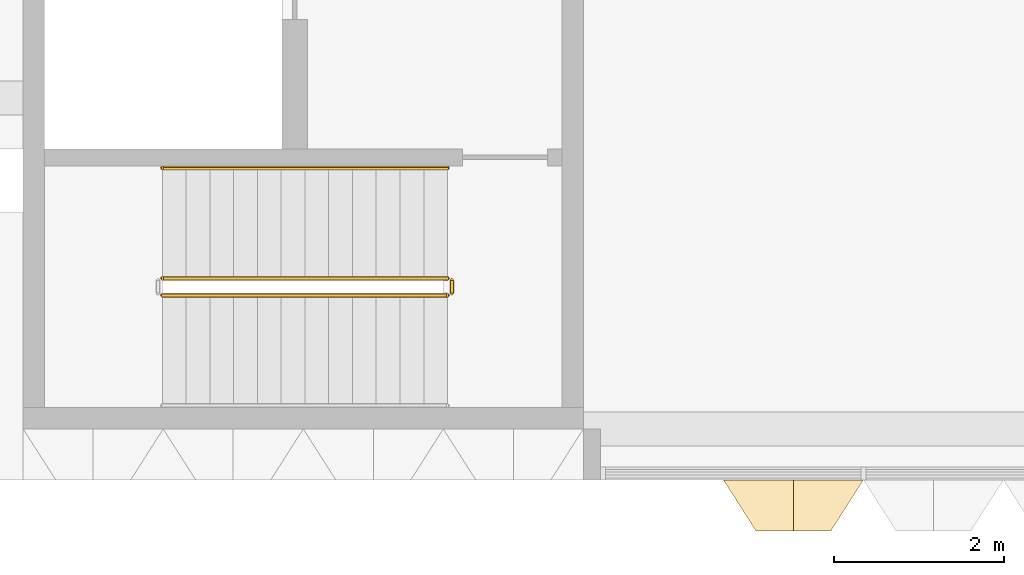
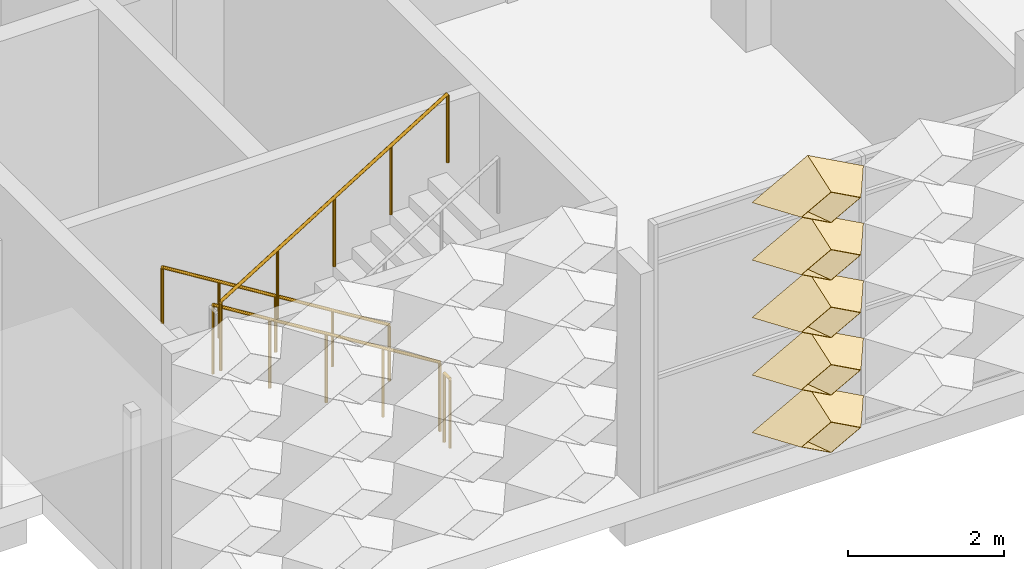
# One storey, part 69 of 109: 5 coverings, 4 railings.
"""IFC4 building model written with IfcOpenShell, lengths in metres."""

from ifc_helpers import new_model, entity, si_unit, direction, frame, origin, origin_2d, place, context, subcontext, project, spatial, circle, extrude, material, layer, layer_set, type_object, element, save


model = new_model("IFC4")

# Units and contexts
model_context = context("Model", 3, precision=1e-05, world=origin(), true_north=direction((0.0, 1.0)))
body_context = subcontext(model_context, "Body", "Model", "MODEL_VIEW")
ifc_project = project(units=[si_unit("LENGTHUNIT", "METRE"), si_unit("AREAUNIT", "SQUARE_METRE"), si_unit("VOLUMEUNIT", "CUBIC_METRE"), si_unit("PLANEANGLEUNIT", "RADIAN"), si_unit("MASSUNIT", "GRAM", prefix="KILO")], contexts=[model_context])

# Site, building, storey
site_placement = place(None, origin())
site = spatial("IfcSite", under=ifc_project, at=site_placement, CompositionType="ELEMENT")
building_placement = place(site_placement, origin())
building = spatial("IfcBuilding", under=site, at=building_placement, Name="Lantern Court Research Institute", CompositionType="ELEMENT")
storey_placement = place(building_placement, frame((0.0, 0.0, 14.39990234375)))
storey = spatial("IfcBuildingStorey", under=building, at=storey_placement, Name="L03", CompositionType="ELEMENT", Elevation=14.39990234375)

# Coverings
ifc_material_1 = material(Name="Anodised aluminium", Category="aluminium")
ifc_layer = layer(ifc_material_1, 0.01611328125)
ifc_layer_set = layer_set([ifc_layer], Name="Anodised aluminium")
covering_type = type_object("IfcCoveringType", Name="Fin cassette 1650 x 900 x 600 aluminium", PredefinedType="CLADDING", material=ifc_layer_set)
covering_1_placement = place(storey_placement, frame((61.875, -8.39990234375, 0.4501953125), z_axis=(0.0, -1.0, 0.0), x_axis=(1.0, 0.0, 0.0)))
cartesian_point_1 = entity("IfcCartesianPoint", [0.824951171875, 0.0])
cartesian_point_2 = entity("IfcCartesianPoint", [0.79150390625, 0.0])
cartesian_point_3 = entity("IfcCartesianPoint", [0.44189453125, 0.0])
cartesian_point_4 = entity("IfcCartesianPoint", [0.43359375, 0.0])
element("IfcCovering", 1, at=covering_1_placement, inside=storey, type_object=covering_type, Name="Fin cassette V5S-L03 1.38", PredefinedType="CLADDING", context=body_context, shape_type="SweptSolid", body=[
    entity("IfcExtrudedAreaSolidTapered", entity("IfcArbitraryProfileDefWithVoids", "AREA", None, entity("IfcPolyline", [cartesian_point_1, entity("IfcCartesianPoint", [0.0, 0.449951171875]), entity("IfcCartesianPoint", [-0.824951171875, 0.0]), entity("IfcCartesianPoint", [0.0, -0.449951171875]), cartesian_point_1]), [entity("IfcPolyline", [cartesian_point_2, entity("IfcCartesianPoint", [0.0, 0.431884765625]), entity("IfcCartesianPoint", [-0.79150390625, 0.0]), entity("IfcCartesianPoint", [0.0, -0.431884765625]), cartesian_point_2])]), entity("IfcAxis2Placement3D", entity("IfcCartesianPoint", [0.0, 0.0, 0.0])), entity("IfcDirection", [0.0, 0.0, 1.0]), 0.60009765625, entity("IfcArbitraryProfileDefWithVoids", "AREA", None, entity("IfcPolyline", [cartesian_point_3, entity("IfcCartesianPoint", [0.0, 0.240966796875]), entity("IfcCartesianPoint", [-0.44189453125, 0.0]), entity("IfcCartesianPoint", [0.0, -0.240966796875]), cartesian_point_3]), [entity("IfcPolyline", [cartesian_point_4, entity("IfcCartesianPoint", [0.0, 0.236572265625]), entity("IfcCartesianPoint", [-0.43359375, 0.0]), entity("IfcCartesianPoint", [0.0, -0.236572265625]), cartesian_point_4])])),
])
covering_2_placement = place(storey_placement, frame((61.875, -8.39990234375, 1.35009765625), z_axis=(0.0, -1.0, 0.0), x_axis=(1.0, 0.0, 0.0)))
cartesian_point_5 = entity("IfcCartesianPoint", [0.824951171875, 0.0])
cartesian_point_6 = entity("IfcCartesianPoint", [0.79150390625, 0.0])
cartesian_point_7 = entity("IfcCartesianPoint", [0.44189453125, 0.0])
cartesian_point_8 = entity("IfcCartesianPoint", [0.43359375, 0.0])
element("IfcCovering", 2, at=covering_2_placement, inside=storey, type_object=covering_type, Name="Fin cassette V5S-L03 2.38", PredefinedType="CLADDING", context=body_context, shape_type="SweptSolid", body=[
    entity("IfcExtrudedAreaSolidTapered", entity("IfcArbitraryProfileDefWithVoids", "AREA", None, entity("IfcPolyline", [cartesian_point_5, entity("IfcCartesianPoint", [0.0, 0.449951171875]), entity("IfcCartesianPoint", [-0.824951171875, 0.0]), entity("IfcCartesianPoint", [0.0, -0.449951171875]), cartesian_point_5]), [entity("IfcPolyline", [cartesian_point_6, entity("IfcCartesianPoint", [0.0, 0.431884765625]), entity("IfcCartesianPoint", [-0.79150390625, 0.0]), entity("IfcCartesianPoint", [0.0, -0.431884765625]), cartesian_point_6])]), entity("IfcAxis2Placement3D", entity("IfcCartesianPoint", [0.0, 0.0, 0.0])), entity("IfcDirection", [0.0, 0.0, 1.0]), 0.60009765625, entity("IfcArbitraryProfileDefWithVoids", "AREA", None, entity("IfcPolyline", [cartesian_point_7, entity("IfcCartesianPoint", [0.0, 0.240966796875]), entity("IfcCartesianPoint", [-0.44189453125, 0.0]), entity("IfcCartesianPoint", [0.0, -0.240966796875]), cartesian_point_7]), [entity("IfcPolyline", [cartesian_point_8, entity("IfcCartesianPoint", [0.0, 0.236572265625]), entity("IfcCartesianPoint", [-0.43359375, 0.0]), entity("IfcCartesianPoint", [0.0, -0.236572265625]), cartesian_point_8])])),
])
covering_3_placement = place(storey_placement, frame((61.875, -8.39990234375, 2.25), z_axis=(0.0, -1.0, 0.0), x_axis=(1.0, 0.0, 0.0)))
cartesian_point_9 = entity("IfcCartesianPoint", [0.824951171875, 0.0])
cartesian_point_10 = entity("IfcCartesianPoint", [0.79150390625, 0.0])
cartesian_point_11 = entity("IfcCartesianPoint", [0.44189453125, 0.0])
cartesian_point_12 = entity("IfcCartesianPoint", [0.43359375, 0.0])
element("IfcCovering", 3, at=covering_3_placement, inside=storey, type_object=covering_type, Name="Fin cassette V5S-L03 3.38", PredefinedType="CLADDING", context=body_context, shape_type="SweptSolid", body=[
    entity("IfcExtrudedAreaSolidTapered", entity("IfcArbitraryProfileDefWithVoids", "AREA", None, entity("IfcPolyline", [cartesian_point_9, entity("IfcCartesianPoint", [0.0, 0.449951171875]), entity("IfcCartesianPoint", [-0.824951171875, 0.0]), entity("IfcCartesianPoint", [0.0, -0.449951171875]), cartesian_point_9]), [entity("IfcPolyline", [cartesian_point_10, entity("IfcCartesianPoint", [0.0, 0.431884765625]), entity("IfcCartesianPoint", [-0.79150390625, 0.0]), entity("IfcCartesianPoint", [0.0, -0.431884765625]), cartesian_point_10])]), entity("IfcAxis2Placement3D", entity("IfcCartesianPoint", [0.0, 0.0, 0.0])), entity("IfcDirection", [0.0, 0.0, 1.0]), 0.60009765625, entity("IfcArbitraryProfileDefWithVoids", "AREA", None, entity("IfcPolyline", [cartesian_point_11, entity("IfcCartesianPoint", [0.0, 0.240966796875]), entity("IfcCartesianPoint", [-0.44189453125, 0.0]), entity("IfcCartesianPoint", [0.0, -0.240966796875]), cartesian_point_11]), [entity("IfcPolyline", [cartesian_point_12, entity("IfcCartesianPoint", [0.0, 0.236572265625]), entity("IfcCartesianPoint", [-0.43359375, 0.0]), entity("IfcCartesianPoint", [0.0, -0.236572265625]), cartesian_point_12])])),
])
covering_4_placement = place(storey_placement, frame((61.875, -8.39990234375, 3.150146484375), z_axis=(0.0, -1.0, 0.0), x_axis=(1.0, 0.0, 0.0)))
cartesian_point_13 = entity("IfcCartesianPoint", [0.824951171875, 0.0])
cartesian_point_14 = entity("IfcCartesianPoint", [0.79150390625, 0.0])
cartesian_point_15 = entity("IfcCartesianPoint", [0.44189453125, 0.0])
cartesian_point_16 = entity("IfcCartesianPoint", [0.43359375, 0.0])
element("IfcCovering", 4, at=covering_4_placement, inside=storey, type_object=covering_type, Name="Fin cassette V5S-L03 4.38", PredefinedType="CLADDING", context=body_context, shape_type="SweptSolid", body=[
    entity("IfcExtrudedAreaSolidTapered", entity("IfcArbitraryProfileDefWithVoids", "AREA", None, entity("IfcPolyline", [cartesian_point_13, entity("IfcCartesianPoint", [0.0, 0.449951171875]), entity("IfcCartesianPoint", [-0.824951171875, 0.0]), entity("IfcCartesianPoint", [0.0, -0.449951171875]), cartesian_point_13]), [entity("IfcPolyline", [cartesian_point_14, entity("IfcCartesianPoint", [0.0, 0.431884765625]), entity("IfcCartesianPoint", [-0.79150390625, 0.0]), entity("IfcCartesianPoint", [0.0, -0.431884765625]), cartesian_point_14])]), entity("IfcAxis2Placement3D", entity("IfcCartesianPoint", [0.0, 0.0, 0.0])), entity("IfcDirection", [0.0, 0.0, 1.0]), 0.60009765625, entity("IfcArbitraryProfileDefWithVoids", "AREA", None, entity("IfcPolyline", [cartesian_point_15, entity("IfcCartesianPoint", [0.0, 0.240966796875]), entity("IfcCartesianPoint", [-0.44189453125, 0.0]), entity("IfcCartesianPoint", [0.0, -0.240966796875]), cartesian_point_15]), [entity("IfcPolyline", [cartesian_point_16, entity("IfcCartesianPoint", [0.0, 0.236572265625]), entity("IfcCartesianPoint", [-0.43359375, 0.0]), entity("IfcCartesianPoint", [0.0, -0.236572265625]), cartesian_point_16])])),
])
covering_5_placement = place(storey_placement, frame((61.875, -8.39990234375, 4.050048828125), z_axis=(0.0, -1.0, 0.0), x_axis=(1.0, 0.0, 0.0)))
cartesian_point_17 = entity("IfcCartesianPoint", [0.824951171875, 0.0])
cartesian_point_18 = entity("IfcCartesianPoint", [0.79150390625, 0.0])
cartesian_point_19 = entity("IfcCartesianPoint", [0.44189453125, 0.0])
cartesian_point_20 = entity("IfcCartesianPoint", [0.43359375, 0.0])
element("IfcCovering", 5, at=covering_5_placement, inside=storey, type_object=covering_type, Name="Fin cassette V5S-L03 5.38", PredefinedType="CLADDING", context=body_context, shape_type="SweptSolid", body=[
    entity("IfcExtrudedAreaSolidTapered", entity("IfcArbitraryProfileDefWithVoids", "AREA", None, entity("IfcPolyline", [cartesian_point_17, entity("IfcCartesianPoint", [0.0, 0.449951171875]), entity("IfcCartesianPoint", [-0.824951171875, 0.0]), entity("IfcCartesianPoint", [0.0, -0.449951171875]), cartesian_point_17]), [entity("IfcPolyline", [cartesian_point_18, entity("IfcCartesianPoint", [0.0, 0.431884765625]), entity("IfcCartesianPoint", [-0.79150390625, 0.0]), entity("IfcCartesianPoint", [0.0, -0.431884765625]), cartesian_point_18])]), entity("IfcAxis2Placement3D", entity("IfcCartesianPoint", [0.0, 0.0, 0.0])), entity("IfcDirection", [0.0, 0.0, 1.0]), 0.60009765625, entity("IfcArbitraryProfileDefWithVoids", "AREA", None, entity("IfcPolyline", [cartesian_point_19, entity("IfcCartesianPoint", [0.0, 0.240966796875]), entity("IfcCartesianPoint", [-0.44189453125, 0.0]), entity("IfcCartesianPoint", [0.0, -0.240966796875]), cartesian_point_19]), [entity("IfcPolyline", [cartesian_point_20, entity("IfcCartesianPoint", [0.0, 0.236572265625]), entity("IfcCartesianPoint", [-0.43359375, 0.0]), entity("IfcCartesianPoint", [0.0, -0.236572265625]), cartesian_point_20])])),
])

# Railings
ifc_material_2 = material(Name="Structural steel S355", Category="steel")
railing_type_1 = type_object("IfcRailingType", Name="Stair guard 1100 steel", PredefinedType="GUARDRAIL", material=ifc_material_2)
railing_1_placement = place(storey_placement, frame((57.800048828125, -6.02490234375, 0.173095703125)))
element("IfcRailing", 6, at=railing_1_placement, inside=storey, type_object=railing_type_1, Name="L03 ST-T1 stair guard 1", PredefinedType="GUARDRAIL", context=body_context, shape_type="SweptSolid", body=[
    extrude(circle(Radius=0.02392578125, at=origin_2d()), frame((0.0, 0.0, 1.076171875), z_axis=(-0.850623216509, 0.0, 0.525775754039), x_axis=(0.0, -1.0, 0.0)), (0.0, 0.0, 1.0), 3.9501953125),
    extrude(circle(Radius=0.02099609375, at=origin_2d()), origin(), (0.0, 0.0, 1.0), 1.052001953125),
    extrude(circle(Radius=0.02099609375, at=origin_2d()), frame((-0.840087890625, 0.0, 0.519287109375)), (0.0, 0.0, 1.0), 1.052001953125),
    extrude(circle(Radius=0.02099609375, at=origin_2d()), frame((-1.68017578125, 0.0, 1.03857421875)), (0.0, 0.0, 1.0), 1.052001953125),
    extrude(circle(Radius=0.02099609375, at=origin_2d()), frame((-2.52001953125, 0.0, 1.5576171875)), (0.0, 0.0, 1.0), 1.052001953125),
    extrude(circle(Radius=0.02099609375, at=origin_2d()), frame((-3.360107421875, 0.0, 2.076904296875)), (0.0, 0.0, 1.0), 1.052001953125),
])
railing_2_placement = place(storey_placement, frame((54.43994140625, -6.22509765625, 2.423095703125)))
element("IfcRailing", 7, at=railing_2_placement, inside=storey, type_object=railing_type_1, Name="L03 ST-T1 stair guard 3", PredefinedType="GUARDRAIL", context=body_context, shape_type="SweptSolid", body=[
    extrude(circle(Radius=0.02392578125, at=origin_2d()), frame((0.0, 0.0, 1.076171875), z_axis=(0.850623216509, 0.0, 0.525775754039), x_axis=(0.0, 1.0, 0.0)), (0.0, 0.0, 1.0), 3.9501953125),
    extrude(circle(Radius=0.02099609375, at=origin_2d()), origin(), (0.0, 0.0, 1.0), 1.052001953125),
    extrude(circle(Radius=0.02099609375, at=origin_2d()), frame((0.840087890625, 0.0, 0.519287109375)), (0.0, 0.0, 1.0), 1.052001953125),
    extrude(circle(Radius=0.02099609375, at=origin_2d()), frame((1.68017578125, 0.0, 1.03857421875)), (0.0, 0.0, 1.0), 1.052001953125),
    extrude(circle(Radius=0.02099609375, at=origin_2d()), frame((2.52001953125, 0.0, 1.5576171875)), (0.0, 0.0, 1.0), 1.052001953125),
    extrude(circle(Radius=0.02099609375, at=origin_2d()), frame((3.360107421875, 0.0, 2.076904296875)), (0.0, 0.0, 1.0), 1.052001953125),
])
railing_3_placement = place(storey_placement, frame((57.85009765625, -6.050048828125, 0.0)))
element("IfcRailing", 8, at=railing_3_placement, inside=storey, type_object=railing_type_1, Name="L03 ST-T1 stair guard 4", PredefinedType="GUARDRAIL", context=body_context, shape_type="SweptSolid", body=[
    extrude(circle(Radius=0.02392578125, at=origin_2d()), frame((0.0, 0.0, 1.076171875), z_axis=(0.0, -1.0, 0.0), x_axis=(1.0, 0.0, 0.0)), (0.0, 0.0, 1.0), 0.14990234375),
    extrude(circle(Radius=0.02099609375, at=origin_2d()), origin(), (0.0, 0.0, 1.0), 1.052001953125),
    extrude(circle(Radius=0.02099609375, at=origin_2d()), frame((0.0, -0.14990234375, 0.0)), (0.0, 0.0, 1.0), 1.052001953125),
])
ifc_material_3 = material(Name="Stainless steel 316", Category="steel")
railing_type_2 = type_object("IfcRailingType", Name="Stair handrail 900 steel", PredefinedType="HANDRAIL", material=ifc_material_3)
railing_4_placement = place(storey_placement, frame((57.800048828125, -4.72509765625, 0.173095703125)))
element("IfcRailing", 9, at=railing_4_placement, inside=storey, type_object=railing_type_2, Name="L03 ST-T1 stair handrail 1", PredefinedType="HANDRAIL", context=body_context, shape_type="SweptSolid", body=[
    extrude(circle(Radius=0.02392578125, at=origin_2d()), frame((0.0, 0.0, 0.8759765625), z_axis=(-0.850623216509, 0.0, 0.525775754039), x_axis=(0.0, -1.0, 0.0)), (0.0, 0.0, 1.0), 3.9501953125),
    extrude(circle(Radius=0.02099609375, at=origin_2d()), origin(), (0.0, 0.0, 1.0), 0.851806640625),
    extrude(circle(Radius=0.02099609375, at=origin_2d()), frame((-0.840087890625, 0.0, 0.519287109375)), (0.0, 0.0, 1.0), 0.851806640625),
    extrude(circle(Radius=0.02099609375, at=origin_2d()), frame((-1.68017578125, 0.0, 1.03857421875)), (0.0, 0.0, 1.0), 0.851806640625),
    extrude(circle(Radius=0.02099609375, at=origin_2d()), frame((-2.52001953125, 0.0, 1.5576171875)), (0.0, 0.0, 1.0), 0.851806640625),
    extrude(circle(Radius=0.02099609375, at=origin_2d()), frame((-3.360107421875, 0.0, 2.076904296875)), (0.0, 0.0, 1.0), 0.851806640625),
])

save(model, "model.ifc")
